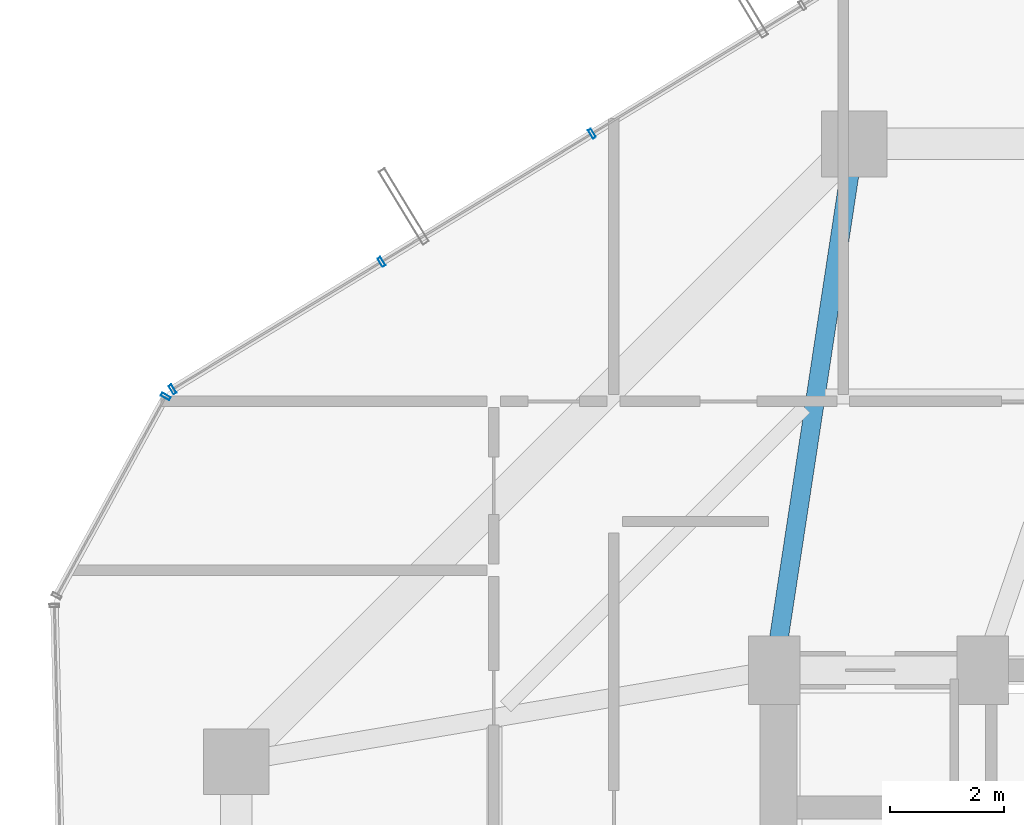
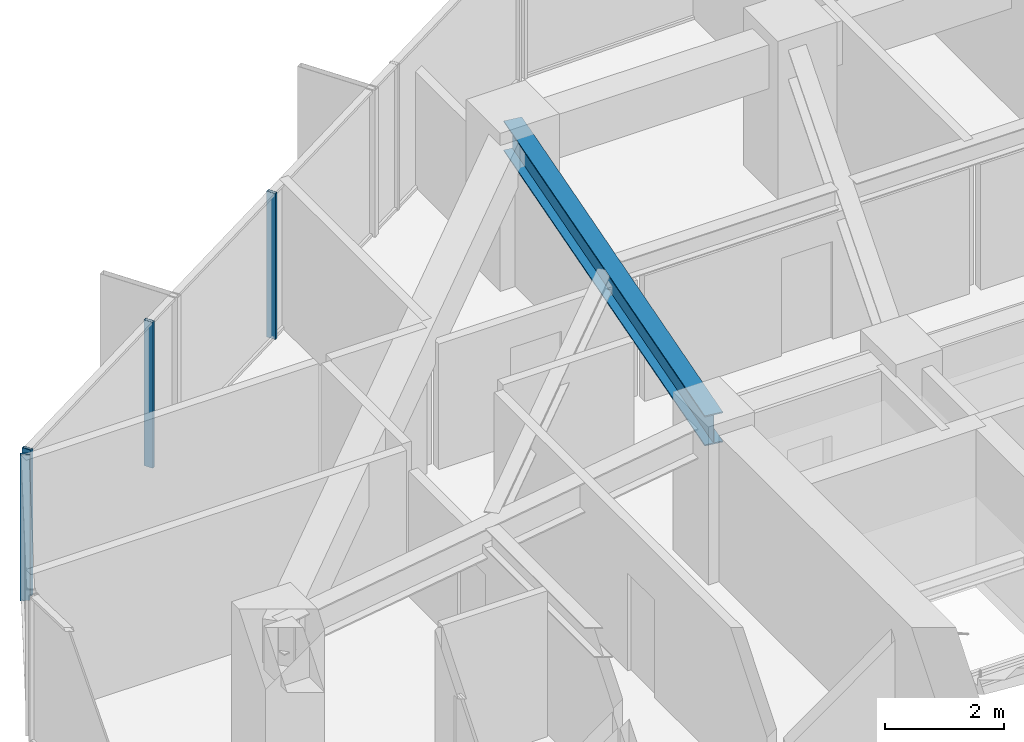
# One storey, part 17 of 31: 4 members, 1 beam, 2 elements without a shape of their own.
"""IFC4 building model written with IfcOpenShell, lengths in metres."""

from ifc_helpers import new_model, si_unit, direction, frame, origin, origin_2d, place, context, subcontext, project, spatial, hollow_rectangle, i_section, extrude, source, transform, mapped, material, layer, layer_set, material_profile, profile_set, type_object, element, aggregate, save


model = new_model("IFC4")

# Units and contexts
model_context = context("Model", 3, precision=1e-05, world=origin(), true_north=direction((0.0, 1.0)))
body_context = subcontext(model_context, "Body", "Model", "MODEL_VIEW")
ifc_project = project(units=[si_unit("LENGTHUNIT", "METRE"), si_unit("AREAUNIT", "SQUARE_METRE"), si_unit("VOLUMEUNIT", "CUBIC_METRE"), si_unit("PLANEANGLEUNIT", "RADIAN"), si_unit("MASSUNIT", "GRAM", prefix="KILO")], contexts=[model_context])

# Site, building, storey
site_placement = place(None, origin())
site = spatial("IfcSite", under=ifc_project, at=site_placement, CompositionType="ELEMENT")
building_placement = place(site_placement, origin())
building = spatial("IfcBuilding", under=site, at=building_placement, Name="Veraguas Prism Commons", CompositionType="ELEMENT")
storey_placement = place(building_placement, frame((0.0, 0.0, 132.75)))
storey = spatial("IfcBuildingStorey", under=building, at=storey_placement, Name="L37", CompositionType="ELEMENT", Elevation=132.75)

# Beam
ifc_material_1 = material(Name="Steel ASTM A992 Grade 50", Category="steel")
ifc_material_profile_1 = material_profile(ifc_material_1, i_section(OverallWidth=0.327880859375, OverallDepth=0.6220703125, WebThickness=0.015380859375, FlangeThickness=0.0244140625, at=origin_2d()), Name="W610X195")
ifc_profile_set_1 = profile_set([ifc_material_profile_1], Name="Steel ASTM A992 Grade 50")
beam_type = type_object("IfcBeamType", Name="Zone 2 Radial Girder W610x195", PredefinedType="BEAM", material=ifc_profile_set_1)
beam_placement = place(storey_placement, frame((18.60009765625, 40.199951171875, 2.68896484375), z_axis=(-0.150458162136, -0.98861637729, 0.0), x_axis=(0.98861637729, -0.150458162136, 0.0)))
element("IfcBeam", 1, at=beam_placement, inside=storey, type_object=beam_type, Name="Radial Floor Girder L37-RD06", PredefinedType="BEAM", context=body_context, shape_type="SweptSolid", body=[
    extrude(i_section(OverallWidth=0.327880859375, OverallDepth=0.6220703125, WebThickness=0.015380859375, FlangeThickness=0.0244140625, at=origin_2d()), origin(), (0.0, 0.0, 1.0), 9.305908203125),
])

# Curtain wall, members
ifc_material_2 = material(Name="Anodised aluminium EN AW-6063 T6", Category="aluminium")
ifc_layer = layer(ifc_material_2, 0.169921875, Name="Unitised Flush Curtain Wall Zone 2", Category="aluminium")
ifc_layer_set = layer_set([ifc_layer], Name="Anodised aluminium EN AW-6063 T6")
curtain_wall_type = type_object("IfcCurtainWallType", Name="Unitised Flush Curtain Wall Zone 2", PredefinedType="NOTDEFINED", material=ifc_layer_set)
curtain_wall_1_placement = place(storey_placement, origin())
curtain_wall_1 = element("IfcCurtainWall", 2, at=curtain_wall_1_placement, inside=storey, type_object=curtain_wall_type, Name="Tower Facade Curtain Wall L37-F2", PredefinedType="NOTDEFINED")
ifc_material_profile_2 = material_profile(ifc_material_2, hollow_rectangle(XDim=0.06005859375, YDim=0.169921875, WallThickness=0.00390625, at=origin_2d()), Name="AL60X170X4")
ifc_profile_set_2 = profile_set([ifc_material_profile_2], Name="Anodised aluminium EN AW-6063 T6")
member_type = type_object("IfcMemberType", Name="Curtain Wall Mullion Lower AL 60x170x4", PredefinedType="MULLION", material=ifc_profile_set_2)
shared_shape = source(origin(), body_context, "Body", "SweptSolid", [
    extrude(hollow_rectangle(XDim=0.06005859375, YDim=0.169921875, WallThickness=0.00390625, at=origin_2d()), origin(), (0.0, 0.0, 1.0), 3.0),
])
member_1_placement = place(storey_placement, frame((14.01708984375, 40.380126953125, 0.0), z_axis=(0.0, 0.0, 1.0), x_axis=(-0.853916139162, -0.520410633326, 0.0)))
member_1 = element("IfcMember", 3, at=member_1_placement, type_object=member_type, Name="CW-Z2 Mullion 3", PredefinedType="MULLION", context=body_context, shape_type="MappedRepresentation", body=[
    mapped(shared_shape, transform((0.0, 0.0, 0.0), scale=1.0)),
])
member_2_placement = place(storey_placement, frame((10.337890625, 38.137939453125, 0.0), z_axis=(0.0, 0.0, 1.0), x_axis=(-0.853916139162, -0.520410633326, 0.0)))
member_2 = element("IfcMember", 4, at=member_2_placement, type_object=member_type, Name="CW-Z2 Mullion 4", PredefinedType="MULLION", context=body_context, shape_type="MappedRepresentation", body=[
    mapped(shared_shape, transform((0.0, 0.0, 0.0), scale=1.0)),
])
member_3_placement = place(storey_placement, frame((6.684326171875, 35.911376953125, 0.0), z_axis=(0.0, 0.0, 1.0), x_axis=(-0.853916139162, -0.520410633326, 0.0)))
member_3 = element("IfcMember", 5, at=member_3_placement, type_object=member_type, Name="CW-Z2 Mullion 5", PredefinedType="MULLION", context=body_context, shape_type="MappedRepresentation", body=[
    mapped(shared_shape, transform((0.0, 0.0, 0.0), scale=1.0)),
])
aggregate(curtain_wall_1, [member_1, member_2, member_3])

# Curtain wall, member
curtain_wall_2_placement = place(storey_placement, origin())
curtain_wall_2 = element("IfcCurtainWall", 6, at=curtain_wall_2_placement, inside=storey, type_object=curtain_wall_type, Name="Chamfer Curtain Wall L37-C3", PredefinedType="NOTDEFINED")
member_4_placement = place(storey_placement, frame((6.564453125, 35.785400390625, 0.0), z_axis=(0.0, 0.0, 1.0), x_axis=(-0.479293966449, -0.877654427281, 0.0)))
member_4 = element("IfcMember", 7, at=member_4_placement, type_object=member_type, Name="CW-Z2 Mullion 1", PredefinedType="MULLION", context=body_context, shape_type="MappedRepresentation", body=[
    mapped(shared_shape, transform((0.0, 0.0, 0.0), scale=1.0)),
])
aggregate(curtain_wall_2, [member_4])

save(model, "model.ifc")
